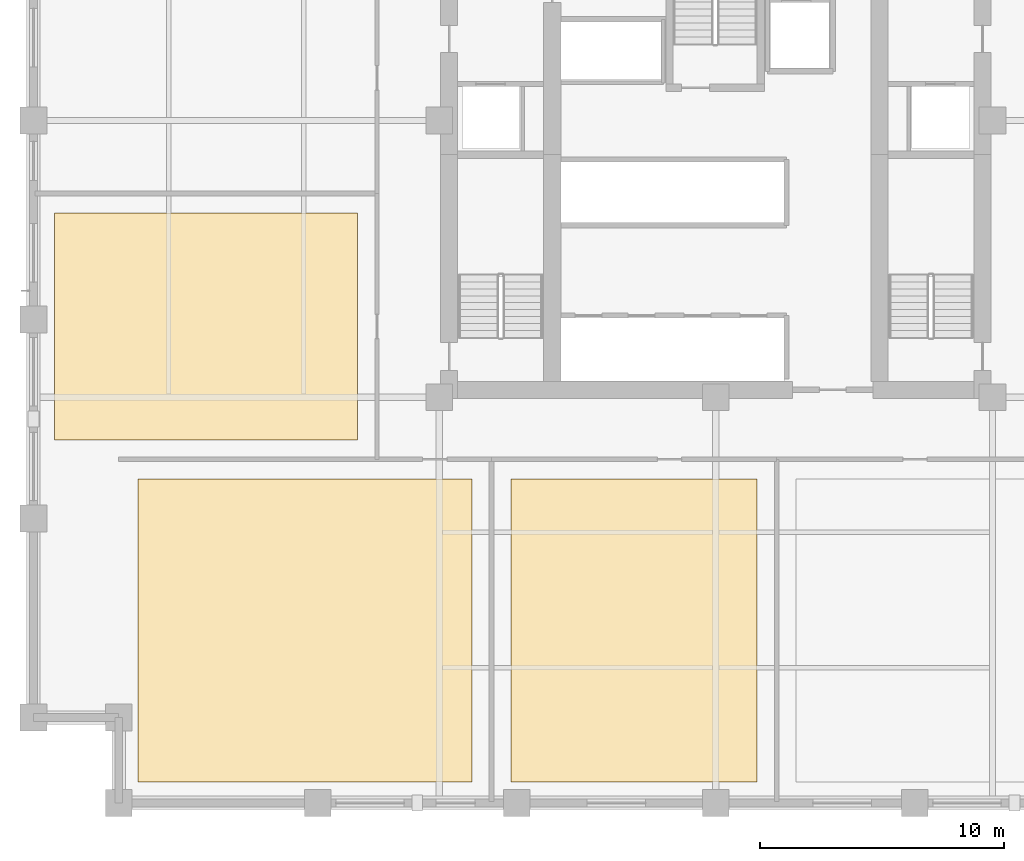
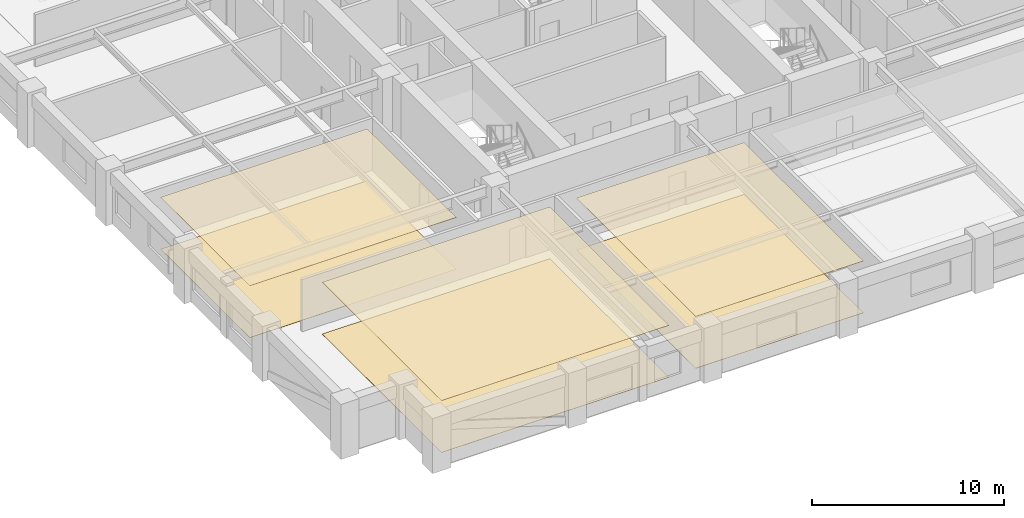
# One storey, part 8 of 12: 6 coverings.
"""IFC4 building model written with IfcOpenShell, lengths in metres."""

from ifc_helpers import new_model, si_unit, direction, frame, origin, place, context, subcontext, project, spatial, polyline, outline, extrude, material, layer, layer_set, type_object, element, save


model = new_model("IFC4")

# Units and contexts
model_context = context("Model", 3, precision=1e-05, world=origin(), true_north=direction((0.0, 1.0)))
body_context = subcontext(model_context, "Body", "Model", "MODEL_VIEW")
ifc_project = project(units=[si_unit("LENGTHUNIT", "METRE"), si_unit("AREAUNIT", "SQUARE_METRE"), si_unit("VOLUMEUNIT", "CUBIC_METRE"), si_unit("PLANEANGLEUNIT", "RADIAN"), si_unit("MASSUNIT", "GRAM", prefix="KILO")], contexts=[model_context])

# Site, building, storey
site_placement = place(None, origin())
site = spatial("IfcSite", under=ifc_project, at=site_placement, CompositionType="ELEMENT")
building_placement = place(site_placement, origin())
building = spatial("IfcBuilding", under=site, at=building_placement, Name="Nhamokura Convention Tower", CompositionType="ELEMENT")
storey_placement = place(building_placement, frame((0.0, 0.0, 49.35009765625)))
storey = spatial("IfcBuildingStorey", under=building, at=storey_placement, Name="L10", CompositionType="ELEMENT", Elevation=49.35009765625)

# Coverings
ifc_material_1 = material(Name="Mineral-fibre acoustic ceiling tile", Category="gypsum")
ifc_layer_1 = layer(ifc_material_1, 0.02490234375)
ifc_layer_set_1 = layer_set([ifc_layer_1], Name="AcousticTileCeiling_25")
covering_type_1 = type_object("IfcCoveringType", Name="AcousticTileCeiling_25", PredefinedType="CEILING", material=ifc_layer_set_1)
covering_1_placement = place(storey_placement, frame((0.0, 0.0, 3.294921875)))
element("IfcCovering", 1, at=covering_1_placement, inside=storey, type_object=covering_type_1, Name="L10 Suspended Ceiling 01", PredefinedType="CEILING", context=body_context, shape_type="SweptSolid", body=[
    extrude(outline(polyline([(8.300048828125, 4.860107421875), (22.0, 4.860107421875), (22.0, 17.300048828125), (8.300048828125, 17.300048828125), (8.300048828125, 4.860107421875)])), origin(), (0.0, 0.0, 1.0), 0.02490234375),
])
covering_2_placement = place(storey_placement, frame((0.0, 0.0, 3.294921875)))
element("IfcCovering", 2, at=covering_2_placement, inside=storey, type_object=covering_type_1, Name="L10 Suspended Ceiling 02", PredefinedType="CEILING", context=body_context, shape_type="SweptSolid", body=[
    extrude(outline(polyline([(23.60009765625, 4.860107421875), (33.699951171875, 4.860107421875), (33.699951171875, 17.300048828125), (23.60009765625, 17.300048828125), (23.60009765625, 4.860107421875)])), origin(), (0.0, 0.0, 1.0), 0.02490234375),
])
covering_3_placement = place(storey_placement, frame((0.0, 0.0, 3.294921875)))
element("IfcCovering", 3, at=covering_3_placement, inside=storey, type_object=covering_type_1, Name="L10 Suspended Ceiling 06", PredefinedType="CEILING", context=body_context, shape_type="SweptSolid", body=[
    extrude(outline(polyline([(4.860107421875, 18.89990234375), (17.300048828125, 18.89990234375), (17.300048828125, 28.199951171875), (4.860107421875, 28.199951171875), (4.860107421875, 18.89990234375)])), origin(), (0.0, 0.0, 1.0), 0.02490234375),
])
ifc_material_2 = material(Name="Acoustic woven hospitality carpet", Category="wood")
ifc_layer_2 = layer(ifc_material_2, 0.014892578125)
ifc_layer_set_2 = layer_set([ifc_layer_2], Name="WovenCarpetFlooring_15")
covering_type_2 = type_object("IfcCoveringType", Name="WovenCarpetFlooring_15", PredefinedType="FLOORING", material=ifc_layer_set_2)
covering_4_placement = place(storey_placement, origin())
element("IfcCovering", 4, at=covering_4_placement, inside=storey, type_object=covering_type_2, Name="L10 Finish Flooring 01", PredefinedType="FLOORING", context=body_context, shape_type="SweptSolid", body=[
    extrude(outline(polyline([(8.300048828125, 4.860107421875), (22.0, 4.860107421875), (22.0, 17.300048828125), (8.300048828125, 17.300048828125), (8.300048828125, 4.860107421875)])), origin(), (0.0, 0.0, 1.0), 0.014892578125),
])
covering_5_placement = place(storey_placement, origin())
element("IfcCovering", 5, at=covering_5_placement, inside=storey, type_object=covering_type_2, Name="L10 Finish Flooring 02", PredefinedType="FLOORING", context=body_context, shape_type="SweptSolid", body=[
    extrude(outline(polyline([(23.60009765625, 4.860107421875), (33.699951171875, 4.860107421875), (33.699951171875, 17.300048828125), (23.60009765625, 17.300048828125), (23.60009765625, 4.860107421875)])), origin(), (0.0, 0.0, 1.0), 0.014892578125),
])
covering_6_placement = place(storey_placement, origin())
element("IfcCovering", 6, at=covering_6_placement, inside=storey, type_object=covering_type_2, Name="L10 Finish Flooring 06", PredefinedType="FLOORING", context=body_context, shape_type="SweptSolid", body=[
    extrude(outline(polyline([(4.860107421875, 18.89990234375), (17.300048828125, 18.89990234375), (17.300048828125, 28.199951171875), (4.860107421875, 28.199951171875), (4.860107421875, 18.89990234375)])), origin(), (0.0, 0.0, 1.0), 0.014892578125),
])

save(model, "model.ifc")
